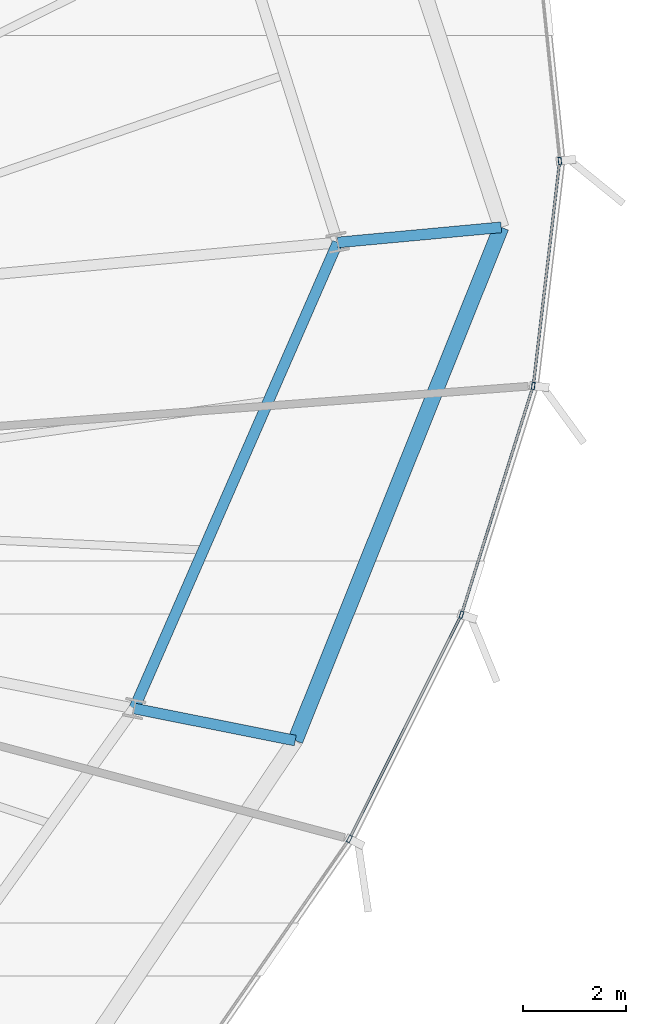
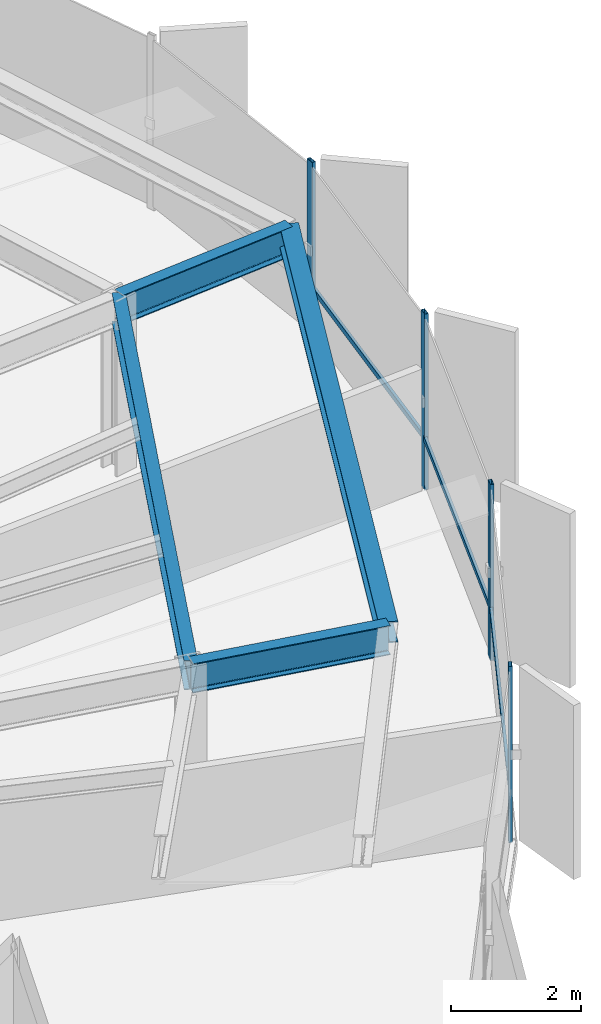
# One storey, part 16 of 35: 7 members, 4 beams, 1 element without a shape of its own.
"""IFC4 building model written with IfcOpenShell, lengths in metres."""

from ifc_helpers import new_model, si_unit, direction, frame, origin, origin_2d, place, context, subcontext, project, spatial, hollow_rectangle, i_section, extrude, source, transform, mapped, material, layer, layer_set, material_profile, profile_set, type_object, element, aggregate, save


model = new_model("IFC4")

# Units and contexts
model_context = context("Model", 3, precision=1e-05, world=origin(), true_north=direction((0.0, 1.0)))
body_context = subcontext(model_context, "Body", "Model", "MODEL_VIEW")
ifc_project = project(units=[si_unit("LENGTHUNIT", "METRE"), si_unit("AREAUNIT", "SQUARE_METRE"), si_unit("VOLUMEUNIT", "CUBIC_METRE"), si_unit("PLANEANGLEUNIT", "RADIAN"), si_unit("MASSUNIT", "GRAM", prefix="KILO"), si_unit("THERMODYNAMICTEMPERATUREUNIT", "KELVIN")], contexts=[model_context])

# Site, building, storey
site_placement = place(None, origin())
site = spatial("IfcSite", under=ifc_project, at=site_placement, CompositionType="ELEMENT")
building_placement = place(site_placement, origin())
building = spatial("IfcBuilding", under=site, at=building_placement, Name="Kethvar Cultural Tower", CompositionType="ELEMENT")
storey_placement = place(building_placement, frame((0.0, 0.0, 146.550048828125)))
storey = spatial("IfcBuildingStorey", under=building, at=storey_placement, Name="L37", CompositionType="ELEMENT", Elevation=146.550048828125)

# Beams
ifc_material_1 = material(Name="Steel S355J2", Category="steel")
ifc_material_profile_1 = material_profile(ifc_material_1, i_section(OverallWidth=0.2099609375, OverallDepth=0.550048828125, WebThickness=0.010986328125, FlangeThickness=0.01708984375, FilletRadius=0.02392578125, at=origin_2d()), Name="Steel S355J2 — IPE550")
ifc_profile_set_1 = profile_set([ifc_material_profile_1], Name="Steel S355J2 — IPE550")
beam_type_1 = type_object("IfcBeamType", Name="BM-IPE550", PredefinedType="BEAM", material=ifc_profile_set_1)
shared_shape_1 = source(origin(), body_context, "Body", "SweptSolid", [
    extrude(i_section(OverallWidth=0.2099609375, OverallDepth=0.550048828125, WebThickness=0.010986328125, FlangeThickness=0.01708984375, FilletRadius=0.02392578125, at=origin_2d()), origin(), (0.0, 0.0, 1.0), 3.199951171875),
])
for number, where, z_axis, x_axis, name in (
    (1, (71.6025390625, 32.7333984375, 3.02294921875), (0.995729641608, 0.092317283453, 0.0), (-0.092317283453, 0.995729641608, 0.0), "L37 Perimeter Cantilever Beam RC-01"),
    (2, (67.638671875, 23.65478515625, 3.02294921875), (0.980785550224, -0.195088965533, 0.0), (0.195088965533, 0.980785550224, 0.0), "L37 Perimeter Cantilever Beam RC-16"),
):
    element("IfcBeam", number, at=place(storey_placement, frame(where, z_axis=z_axis, x_axis=x_axis)), inside=storey, type_object=beam_type_1, Name=name, PredefinedType="BEAM", context=body_context, shape_type="MappedRepresentation", body=[
        mapped(shared_shape_1, transform((0.0, 0.0, 0.0), scale=1.0)),
    ])
shared_shape_2 = source(origin(), body_context, "Body", "SweptSolid", [
    extrude(i_section(OverallWidth=0.2099609375, OverallDepth=0.550048828125, WebThickness=0.010986328125, FlangeThickness=0.01708984375, FilletRadius=0.02392578125, at=origin_2d()), origin(), (0.0, 0.0, 1.0), 9.90625),
])
beam_1_placement = place(storey_placement, frame((67.638671875, 23.65478515625, 3.02294921875), z_axis=(0.400138679026, 0.916454602011, 0.0), x_axis=(-0.916454602011, 0.400138679026, 0.0)))
element("IfcBeam", 3, at=beam_1_placement, inside=storey, type_object=beam_type_1, Name="L37 Column Ring Tie Beam CR-16", PredefinedType="BEAM", context=body_context, shape_type="MappedRepresentation", body=[
    mapped(shared_shape_2, transform((0.0, 0.0, 0.0), scale=1.0)),
])
ifc_material_profile_2 = material_profile(ifc_material_1, i_section(OverallWidth=0.300048828125, OverallDepth=0.39990234375, WebThickness=0.013427734375, FlangeThickness=0.02392578125, FilletRadius=0.027099609375, at=origin_2d()), Name="Steel S355J2 — HEB400")
ifc_profile_set_2 = profile_set([ifc_material_profile_2], Name="Steel S355J2 — HEB400")
beam_type_2 = type_object("IfcBeamType", Name="BM-SP400", PredefinedType="SPANDREL", material=ifc_profile_set_2)
shared_shape_3 = source(origin(), body_context, "Body", "SweptSolid", [
    extrude(i_section(OverallWidth=0.300048828125, OverallDepth=0.39990234375, WebThickness=0.013427734375, FlangeThickness=0.02392578125, FilletRadius=0.027099609375, at=origin_2d()), origin(), (0.0, 0.0, 1.0), 10.773193359375),
])
beam_2_placement = place(storey_placement, frame((70.777099609375, 23.030517578125, 3.097900390625), z_axis=(0.372382905959, 0.928079183771, 0.0), x_axis=(-0.928079183771, 0.372382905959, 0.0)))
element("IfcBeam", 4, at=beam_2_placement, inside=storey, type_object=beam_type_2, Name="L37 Perimeter Spandrel Beam SP-16", PredefinedType="SPANDREL", context=body_context, shape_type="MappedRepresentation", body=[
    mapped(shared_shape_3, transform((0.0, 0.0, 0.0), scale=1.0)),
])

# Curtain wall, members
ifc_material_2 = material(Name="Aluminium 6063-T6", Category="aluminium")
ifc_layer = layer(ifc_material_2, 0.179931640625, Name="Aluminium 6063-T6", Category="aluminium")
ifc_layer_set = layer_set([ifc_layer], Name="Aluminium 6063-T6 (180 mm)")
curtain_wall_type = type_object("IfcCurtainWallType", Name="CW-SYS-04-Z34", PredefinedType="NOTDEFINED", material=ifc_layer_set)
curtain_wall_placement = place(storey_placement, origin())
curtain_wall = element("IfcCurtainWall", 5, at=curtain_wall_placement, inside=storey, type_object=curtain_wall_type, Name="L37 Curtain Wall Run 06", PredefinedType="NOTDEFINED")
ifc_material_profile_3 = material_profile(ifc_material_2, hollow_rectangle(XDim=0.06005859375, YDim=0.139892578125, WallThickness=0.0048828125, at=origin_2d()), Name="Aluminium 6063-T6 — RHS140x60x5")
ifc_profile_set_3 = profile_set([ifc_material_profile_3], Name="Aluminium 6063-T6 — RHS140x60x5")
member_type_1 = type_object("IfcMemberType", Name="CW-SYS-04-Z34-MUL", PredefinedType="MULLION", material=ifc_profile_set_3)
shared_shape_4 = source(origin(), body_context, "Body", "SweptSolid", [
    extrude(hollow_rectangle(XDim=0.06005859375, YDim=0.139892578125, WallThickness=0.0048828125, at=origin_2d()), origin(), (0.0, 0.0, 1.0), 3.300048828125),
])
member_1_placement = place(storey_placement, frame((71.83056640625, 21.113525390625, 0.0), z_axis=(0.0, 0.0, 1.0), x_axis=(-0.894599241902, 0.446869328091, 0.0)))
member_1 = element("IfcMember", 6, at=member_1_placement, type_object=member_type_1, Name="CW-L37-R06 Mullion 2", PredefinedType="MULLION", context=body_context, shape_type="MappedRepresentation", body=[
    mapped(shared_shape_4, transform((0.0, 0.0, 0.0), scale=1.0)),
])
member_2_placement = place(storey_placement, frame((74.013916015625, 25.4814453125, 0.0), z_axis=(0.0, 0.0, 1.0), x_axis=(-0.954245547617, 0.299024137575, 0.0)))
member_2 = element("IfcMember", 7, at=member_2_placement, type_object=member_type_1, Name="CW-L37-R06 Mullion 3", PredefinedType="MULLION", context=body_context, shape_type="MappedRepresentation", body=[
    mapped(shared_shape_4, transform((0.0, 0.0, 0.0), scale=1.0)),
])
member_3_placement = place(storey_placement, frame((75.4130859375, 29.93994140625, 0.0), z_axis=(0.0, 0.0, 1.0), x_axis=(-0.993160464314, 0.116757407144, 0.0)))
member_3 = element("IfcMember", 8, at=member_3_placement, type_object=member_type_1, Name="CW-L37-R06 Mullion 4", PredefinedType="MULLION", context=body_context, shape_type="MappedRepresentation", body=[
    mapped(shared_shape_4, transform((0.0, 0.0, 0.0), scale=1.0)),
])
member_4_placement = place(storey_placement, frame((75.930908203125, 34.322998046875, 0.0), z_axis=(0.0, 0.0, 1.0), x_axis=(-0.994650661728, -0.103295987937, 0.0)))
member_4 = element("IfcMember", 9, at=member_4_placement, type_object=member_type_1, Name="CW-L37-R06 Mullion 5", PredefinedType="MULLION", context=body_context, shape_type="MappedRepresentation", body=[
    mapped(shared_shape_4, transform((0.0, 0.0, 0.0), scale=1.0)),
])
ifc_material_profile_4 = material_profile(ifc_material_2, hollow_rectangle(XDim=0.050048828125, YDim=0.10009765625, WallThickness=0.00390625, at=origin_2d()), Name="Aluminium 6063-T6 — RHS100x50x4")
ifc_profile_set_4 = profile_set([ifc_material_profile_4], Name="Aluminium 6063-T6 — RHS100x50x4")
member_type_2 = type_object("IfcMemberType", Name="CW-SYS-04-Z34-TRN", PredefinedType="USERDEFINED", material=ifc_profile_set_4)
shared_shape_5 = source(origin(), body_context, "Body", "SweptSolid", [
    extrude(hollow_rectangle(XDim=0.050048828125, YDim=0.10009765625, WallThickness=0.00390625, at=origin_2d()), origin(), (0.0, 0.0, 1.0), 4.35107421875),
])
member_5_placement = place(storey_placement, frame((75.418212890625, 29.98291015625, 0.949951171875), z_axis=(0.116711022922, 0.993165916214, 0.0), x_axis=(-0.993165916214, 0.116711022922, 0.0)))
member_5 = element("IfcMember", 10, at=member_5_placement, type_object=member_type_2, Name="CW-L37-R06 Transom 4", ObjectType="TRANSOM", PredefinedType="USERDEFINED", context=body_context, shape_type="MappedRepresentation", body=[
    mapped(shared_shape_5, transform((0.0, 0.0, 0.0), scale=1.0)),
])
shared_shape_6 = source(origin(), body_context, "Body", "SweptSolid", [
    extrude(hollow_rectangle(XDim=0.050048828125, YDim=0.10009765625, WallThickness=0.00390625, at=origin_2d()), origin(), (0.0, 0.0, 1.0), 4.606689453125),
])
member_6_placement = place(storey_placement, frame((74.02685546875, 25.522705078125, 0.949951171875), z_axis=(0.299005160993, 0.954251493947, 0.0), x_axis=(-0.954251493947, 0.299005160993, 0.0)))
member_6 = element("IfcMember", 11, at=member_6_placement, type_object=member_type_2, Name="CW-L37-R06 Transom 3", ObjectType="TRANSOM", PredefinedType="USERDEFINED", context=body_context, shape_type="MappedRepresentation", body=[
    mapped(shared_shape_6, transform((0.0, 0.0, 0.0), scale=1.0)),
])
shared_shape_7 = source(origin(), body_context, "Body", "SweptSolid", [
    extrude(hollow_rectangle(XDim=0.050048828125, YDim=0.10009765625, WallThickness=0.00390625, at=origin_2d()), origin(), (0.0, 0.0, 1.0), 4.814208984375),
])
member_7_placement = place(storey_placement, frame((71.849853515625, 21.152099609375, 0.949951171875), z_axis=(0.446868724845, 0.894599543235, 0.0), x_axis=(-0.894599543235, 0.446868724845, 0.0)))
member_7 = element("IfcMember", 12, at=member_7_placement, type_object=member_type_2, Name="CW-L37-R06 Transom 2", ObjectType="TRANSOM", PredefinedType="USERDEFINED", context=body_context, shape_type="MappedRepresentation", body=[
    mapped(shared_shape_7, transform((0.0, 0.0, 0.0), scale=1.0)),
])
aggregate(curtain_wall, [member_1, member_2, member_3, member_4, member_7, member_6, member_5])

save(model, "model.ifc")
